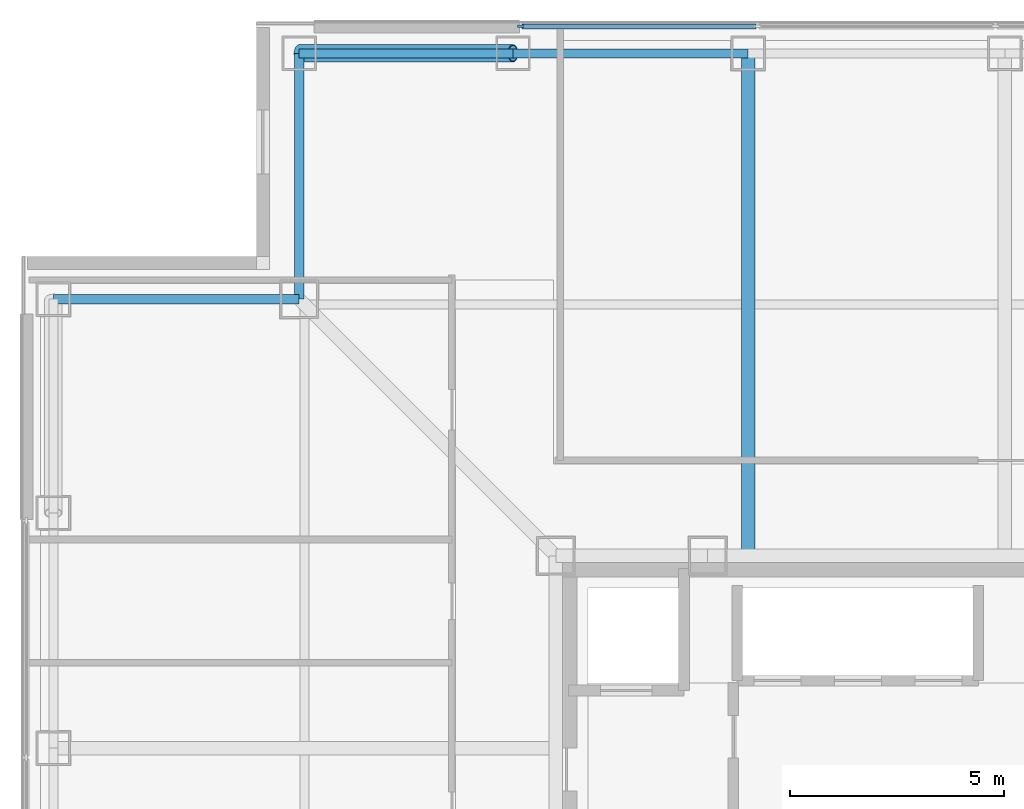
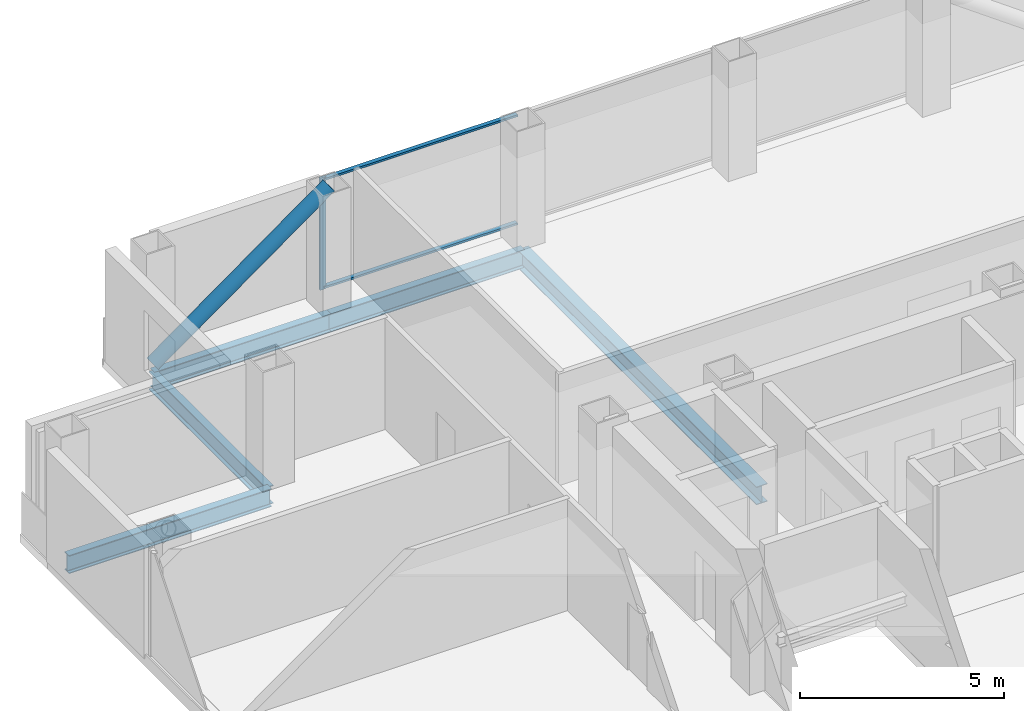
# One storey, part 7 of 17: 5 beams, 4 members, 1 element without a shape of its own.
"""IFC4 building model written with IfcOpenShell, lengths in metres."""

import ifcopenshell
import ifcopenshell.guid

model = None  # the IFC model being written
_history = None  # IfcOwnerHistory: only IFC2X3 demands one
_inside = {}  # id of a spatial element -> (the spatial element, [elements in it])
_under = {}  # id of a project, library or spatial element -> (it, [spatial elements below it])
_declared = {}  # id of a project -> (the project, [libraries it declares])
_typed = {}  # id of a type object -> (the type object, [elements of that type])
_made_of = {}  # id of a material, layer set ... -> (it, [elements and type objects made of it])


def new_model(schema):
    """Start an empty IFC model of exactly this schema.

    Asked for "IFC4X3", IfcOpenShell would pick the latest addendum, in which some entities
    have other attributes; the version numbers below select the first issue.
    IFC2X3 requires an IfcOwnerHistory on every rooted entity: one is made here for all.
    """
    global model, _history
    if schema == "IFC4X3":
        model = ifcopenshell.file(schema_version=(4, 3, 0, 0))
    else:
        model = ifcopenshell.file(schema=schema)
    _inside.clear()
    _under.clear()
    _declared.clear()
    _typed.clear()
    _made_of.clear()
    _history = None
    if model.schema == "IFC2X3":
        org = make("IfcOrganization", Name="unknown")
        user = make(
            "IfcPersonAndOrganization",
            ThePerson=make("IfcPerson", FamilyName="unknown"),
            TheOrganization=org,
        )
        app = make(
            "IfcApplication",
            ApplicationDeveloper=org,
            Version="unknown",
            ApplicationFullName="unknown",
            ApplicationIdentifier="unknown",
        )
        _history = make(
            "IfcOwnerHistory",
            OwningUser=user,
            OwningApplication=app,
            ChangeAction="ADDED",
            CreationDate=0,
        )
    return model


def make(cls, **values):
    """One entity of the class cls with the attributes given. An attribute that is None is left unset."""
    return model.create_entity(
        cls, **{name: value for name, value in values.items() if value is not None}
    )


def rooted(cls, **values):
    """An entity with a GlobalId (a new one), such as an element, a storey or a relation."""
    return make(cls, GlobalId=ifcopenshell.guid.new(), OwnerHistory=_history, **values)


def si_unit(unit_type, name, prefix=None):
    """IfcSIUnit, for example si_unit("LENGTHUNIT", "METRE", prefix="MILLI")."""
    return make("IfcSIUnit", UnitType=unit_type, Prefix=prefix, Name=name)


def assignment(units):
    """IfcUnitAssignment: the units of a project."""
    return None if units is None else make("IfcUnitAssignment", Units=units)


def point(xyz):
    """IfcCartesianPoint."""
    return None if xyz is None else make("IfcCartesianPoint", Coordinates=xyz)


def direction(xyz):
    """IfcDirection."""
    return None if xyz is None else make("IfcDirection", DirectionRatios=xyz)


def frame(location, z_axis=None, x_axis=None):
    """IfcAxis2Placement3D, a coordinate frame: its origin and axes. An axis left out is left unset."""
    return make(
        "IfcAxis2Placement3D",
        Location=point(location),
        Axis=direction(z_axis),
        RefDirection=direction(x_axis),
    )


def frame_2d(location, x_axis=None):
    """IfcAxis2Placement2D, a coordinate frame in the plane: its origin and x axis."""
    return make(
        "IfcAxis2Placement2D", Location=point(location), RefDirection=direction(x_axis)
    )


def origin():
    """The frame at (0, 0, 0) with its axes left unset."""
    return frame((0.0, 0.0, 0.0))


def origin_2d():
    """The frame at (0, 0) in the plane with its x axis left unset."""
    return frame_2d((0.0, 0.0))


def place(relative_to, where):
    """IfcLocalPlacement: puts the frame where relative to a parent placement (None: the world)."""
    return make(
        "IfcLocalPlacement", PlacementRelTo=relative_to, RelativePlacement=where
    )


def context(
    kind, dimensions, precision=None, world=None, true_north=None, identifier=None
):
    """IfcGeometricRepresentationContext, for example the 3D "Model" context."""
    return make(
        "IfcGeometricRepresentationContext",
        ContextIdentifier=identifier,
        ContextType=kind,
        CoordinateSpaceDimension=dimensions,
        Precision=precision,
        WorldCoordinateSystem=world,
        TrueNorth=true_north,
    )


def subcontext(parent, identifier, kind, view, scale=None):
    """IfcGeometricRepresentationSubContext, for example "Body" below "Model"."""
    return make(
        "IfcGeometricRepresentationSubContext",
        ContextIdentifier=identifier,
        ContextType=kind,
        ParentContext=parent,
        TargetScale=scale,
        TargetView=view,
    )


def project(units=None, contexts=None):
    """IfcProject with its units and contexts."""
    return rooted(
        "IfcProject",
        Name="project",
        RepresentationContexts=contexts,
        UnitsInContext=assignment(units),
    )


def spatial(cls, under=None, at=None, **own):
    """A site, building, storey or space (cls), placed at a placement, below another one or the project."""
    s = rooted(cls, ObjectPlacement=at, **own)
    if under is not None:
        _under.setdefault(under.id(), (under, []))[1].append(s)
    return s


def profile(cls, at=None, kind="AREA", **sizes):
    """A parametric profile (cls). Its sizes go by their IFC names, for example OverallWidth=200.0."""
    return make(cls, ProfileType=kind, Position=at, **sizes)


def rectangle(**sizes):
    """IfcRectangleProfileDef."""
    return profile("IfcRectangleProfileDef", **sizes)


def hollow_circle(**sizes):
    """IfcCircleHollowProfileDef."""
    return profile("IfcCircleHollowProfileDef", **sizes)


def i_section(**sizes):
    """IfcIShapeProfileDef."""
    return profile("IfcIShapeProfileDef", **sizes)


def extrude(swept, where, along, depth):
    """IfcExtrudedAreaSolid: the profile swept, set in the frame where, extruded along a direction by depth."""
    return make(
        "IfcExtrudedAreaSolid",
        SweptArea=swept,
        Position=where,
        ExtrudedDirection=direction(along),
        Depth=depth,
    )


def shape(context_of_items, identifier, shape_type, items):
    """IfcShapeRepresentation: the items that make up one representation, for example the "Body"."""
    return make(
        "IfcShapeRepresentation",
        ContextOfItems=context_of_items,
        RepresentationIdentifier=identifier,
        RepresentationType=shape_type,
        Items=items,
    )


def material(Name=None, Category=None):
    """IfcMaterial."""
    return make("IfcMaterial", Name=Name, Category=Category)


def layer(
    of_material, thickness, ventilated=None, Name=None, Category=None, Priority=None
):
    """IfcMaterialLayer: one layer of a wall or slab, of a material (None: an air gap)."""
    return make(
        "IfcMaterialLayer",
        Material=of_material,
        LayerThickness=thickness,
        IsVentilated=ventilated,
        Name=Name,
        Category=Category,
        Priority=Priority,
    )


def layer_set(layers, Name=None):
    """IfcMaterialLayerSet."""
    return make("IfcMaterialLayerSet", MaterialLayers=layers, LayerSetName=Name)


def material_profile(
    of_material, cross_section, Name=None, Category=None, Priority=None
):
    """IfcMaterialProfile: a cross section and its material."""
    return make(
        "IfcMaterialProfile",
        Name=Name,
        Material=of_material,
        Profile=cross_section,
        Priority=Priority,
        Category=Category,
    )


def profile_set(profiles, Name=None, composite=None):
    """IfcMaterialProfileSet."""
    return make(
        "IfcMaterialProfileSet",
        Name=Name,
        MaterialProfiles=profiles,
        CompositeProfile=composite,
    )


def made_of(thing, what):
    """Note that an element or type object is made of a material, layer set ...; save() writes the relation."""
    if what is not None:
        _made_of.setdefault(what.id(), (what, []))[1].append(thing)
    return thing


def type_object(cls, material=None, **own):
    """A type object (cls), such as IfcWallType, which elements share."""
    return made_of(rooted(cls, **own), material)


def element(
    cls,
    number,
    at=None,
    inside=None,
    cuts=None,
    type_object=None,
    material=None,
    context=None,
    identifier="Body",
    shape_type=None,
    held_by="IfcProductDefinitionShape",
    body=None,
    shapes=None,
    **own,
):
    """One element of the class cls, such as IfcWall. Its Tag is "e" and its number.

    at: its placement. inside: the storey or other place that contains it. cuts: it is an
    opening in that element (IfcRelVoidsElement). A single representation is given by context,
    identifier, shape_type and body (its items); several are given by shapes. held_by: the class
    of the entity that holds the representations. save() writes the other relations.
    """
    e = rooted(cls, Tag="e%d" % number, ObjectPlacement=at, **own)
    if body is not None:
        shapes = [shape(context, identifier, shape_type, body)]
    if shapes is not None:
        e.Representation = make(held_by, Representations=shapes)
    if inside is not None:
        _inside.setdefault(inside.id(), (inside, []))[1].append(e)
    if cuts is not None:
        rooted(
            "IfcRelVoidsElement", RelatingBuildingElement=cuts, RelatedOpeningElement=e
        )
    if type_object is not None:
        _typed.setdefault(type_object.id(), (type_object, []))[1].append(e)
    return made_of(e, material)


def aggregate(whole, parts):
    """IfcRelAggregates: a whole, such as a stair, and the parts it consists of."""
    return rooted("IfcRelAggregates", RelatingObject=whole, RelatedObjects=parts)


def save(model, path):
    """Write the relations noted so far, then the file.

    IfcRelAggregates (storeys below a building ...), IfcRelContainedInSpatialStructure (elements
    in a storey), IfcRelDefinesByType, IfcRelAssociatesMaterial and IfcRelDeclares: one each for
    every whole, place, type object, material and project.
    """
    for whole, parts in _under.values():
        aggregate(whole, parts)
    for where, things in _inside.values():
        rooted(
            "IfcRelContainedInSpatialStructure",
            RelatedElements=things,
            RelatingStructure=where,
        )
    for kind, things in _typed.values():
        rooted("IfcRelDefinesByType", RelatedObjects=things, RelatingType=kind)
    for what, things in _made_of.values():
        rooted("IfcRelAssociatesMaterial", RelatedObjects=things, RelatingMaterial=what)
    for by, libraries in _declared.values():
        rooted("IfcRelDeclares", RelatingContext=by, RelatedDefinitions=libraries)
    model.write(path)


model = new_model("IFC4")

# Units and contexts
model_context = context("Model", 3, precision=1e-05, world=origin(), true_north=direction((0.0, 1.0)))
body_context = subcontext(model_context, "Body", "Model", "MODEL_VIEW")
ifc_project = project(units=[si_unit("LENGTHUNIT", "METRE"), si_unit("AREAUNIT", "SQUARE_METRE"), si_unit("VOLUMEUNIT", "CUBIC_METRE"), si_unit("PLANEANGLEUNIT", "RADIAN"), si_unit("MASSUNIT", "GRAM", prefix="KILO")], contexts=[model_context])

# Site, building, storey
site_placement = place(None, origin())
site = spatial("IfcSite", under=ifc_project, at=site_placement, CompositionType="ELEMENT")
building_placement = place(site_placement, origin())
building = spatial("IfcBuilding", under=site, at=building_placement, Name="Trevonay Congress Spire", CompositionType="ELEMENT")
storey_placement = place(building_placement, frame((0.0, 0.0, 213.0)))
storey = spatial("IfcBuildingStorey", under=building, at=storey_placement, Name="L55", CompositionType="ELEMENT", Elevation=213.0)

# Beams
ifc_material_1 = material(Name="Steel ASTM A572 Grade 50", Category="steel")
ifc_material_profile_1 = material_profile(ifc_material_1, i_section(OverallWidth=0.31201171875, OverallDepth=0.54296875, WebThickness=0.0126953125, FlangeThickness=0.020263671875, FilletRadius=0.014892578125, at=origin_2d()), Name="W530x150")
ifc_profile_set_1 = profile_set([ifc_material_profile_1], Name="Steel ASTM A572 Grade 50")
beam_type_1 = type_object("IfcBeamType", Name="BM-GIRD-W530X150", PredefinedType="BEAM", material=ifc_profile_set_1)
beam_1_placement = place(storey_placement, frame((-3.0, 7.5, -0.511474609375), z_axis=(0.0, 1.0, 0.0), x_axis=(-1.0, 0.0, 0.0)))
element("IfcBeam", 1, at=beam_1_placement, inside=storey, type_object=beam_type_1, Name="L55 structural beam BM-L55-GN-M", PredefinedType="BEAM", context=body_context, shape_type="SweptSolid", body=[
    extrude(i_section(OverallWidth=0.31201171875, OverallDepth=0.54296875, WebThickness=0.0126953125, FlangeThickness=0.020263671875, FilletRadius=0.014892578125, at=origin_2d()), origin(), (0.0, 0.0, 1.0), 11.75),
])
ifc_material_profile_2 = material_profile(ifc_material_1, i_section(OverallWidth=0.2119140625, OverallDepth=0.5439453125, WebThickness=0.01318359375, FlangeThickness=0.021240234375, FilletRadius=0.014892578125, at=origin_2d()), Name="W530x123")
ifc_profile_set_2 = profile_set([ifc_material_profile_2], Name="Steel ASTM A572 Grade 50")
beam_type_2 = type_object("IfcBeamType", Name="BM-RING-W530X123", PredefinedType="BEAM", material=ifc_profile_set_2)
beam_2_placement = place(storey_placement, frame((-13.5, 19.25, -0.511962890625), z_axis=(1.0, 0.0, 0.0), x_axis=(0.0, 1.0, 0.0)))
element("IfcBeam", 2, at=beam_2_placement, inside=storey, type_object=beam_type_2, Name="L55 structural beam BM-L55-PN1", PredefinedType="BEAM", context=body_context, shape_type="SweptSolid", body=[
    extrude(i_section(OverallWidth=0.2119140625, OverallDepth=0.5439453125, WebThickness=0.01318359375, FlangeThickness=0.021240234375, FilletRadius=0.014892578125, at=origin_2d()), origin(), (0.0, 0.0, 1.0), 5.0),
])
beam_3_placement = place(storey_placement, frame((-8.5, 19.25, -0.511962890625), z_axis=(1.0, 0.0, 0.0), x_axis=(0.0, 1.0, 0.0)))
element("IfcBeam", 3, at=beam_3_placement, inside=storey, type_object=beam_type_2, Name="L55 structural beam BM-L55-PN2", PredefinedType="BEAM", context=body_context, shape_type="SweptSolid", body=[
    extrude(i_section(OverallWidth=0.2119140625, OverallDepth=0.5439453125, WebThickness=0.01318359375, FlangeThickness=0.021240234375, FilletRadius=0.014892578125, at=origin_2d()), origin(), (0.0, 0.0, 1.0), 5.5),
])
for number, where, z_axis, x_axis, name in (
    (4, (-13.5, 19.25, -0.511962890625), (0.0, -1.0, 0.0), (1.0, 0.0, 0.0), "L55 structural beam BM-L55-N1NW"),
    (5, (-19.25, 13.5, -0.511962890625), (1.0, 0.0, 0.0), (0.0, 1.0, 0.0), "L55 structural beam BM-L55-N2NW"),
):
    element("IfcBeam", number, at=place(storey_placement, frame(where, z_axis=z_axis, x_axis=x_axis)), inside=storey, type_object=beam_type_2, Name=name, PredefinedType="BEAM", context=body_context, shape_type="SweptSolid", body=[
        extrude(i_section(OverallWidth=0.2119140625, OverallDepth=0.5439453125, WebThickness=0.01318359375, FlangeThickness=0.021240234375, FilletRadius=0.014892578125, at=origin_2d()), origin(), (0.0, 0.0, 1.0), 5.75),
    ])

# Curtain wall, members
ifc_material_2 = material(Name="Pale Anodised Aluminium EN AW-6063-T6", Category="aluminium")
ifc_layer = layer(ifc_material_2, 0.169921875, Name="Pale Anodised Aluminium EN AW-6063-T6")
ifc_layer_set = layer_set([ifc_layer], Name="Pale Anodised Aluminium EN AW-6063-T6")
curtain_wall_type = type_object("IfcCurtainWallType", Name="CW-SYS04-CORP-PALE-METAL", PredefinedType="NOTDEFINED", material=ifc_layer_set)
curtain_wall_placement = place(storey_placement, origin())
curtain_wall = element("IfcCurtainWall", 6, at=curtain_wall_placement, inside=storey, type_object=curtain_wall_type, Name="L55 N unitised curtain wall", PredefinedType="NOTDEFINED")
ifc_material_profile_3 = material_profile(ifc_material_2, rectangle(XDim=0.06005859375, YDim=0.159912109375, at=origin_2d()), Name="CW-MULLION-160-ALUMINIUM")
ifc_profile_set_3 = profile_set([ifc_material_profile_3], Name="Pale Anodised Aluminium EN AW-6063-T6")
member_type_1 = type_object("IfcMemberType", Name="CW-MULLION-160-ALUMINIUM", PredefinedType="MULLION", material=ifc_profile_set_3)
member_1_placement = place(storey_placement, frame((-8.320068359375, 19.8798828125, 0.0), z_axis=(0.0, 0.0, 1.0), x_axis=(0.0, 1.0, 0.0)))
member_1 = element("IfcMember", 7, at=member_1_placement, type_object=member_type_1, Name="CW04 mullion 1", PredefinedType="MULLION", context=body_context, shape_type="SweptSolid", body=[
    extrude(rectangle(XDim=0.06005859375, YDim=0.159912109375, at=origin_2d()), origin(), (0.0, 0.0, 1.0), 3.360107421875),
])
ifc_material_profile_4 = material_profile(ifc_material_2, rectangle(XDim=0.1201171875, YDim=0.06005859375, at=origin_2d()), Name="CW-TRANSOM-120-ALUMINIUM")
ifc_profile_set_4 = profile_set([ifc_material_profile_4], Name="Pale Anodised Aluminium EN AW-6063-T6")
member_type_2 = type_object("IfcMemberType", Name="CW-TRANSOM-120-ALUMINIUM", PredefinedType="USERDEFINED", material=ifc_profile_set_4)
member_2_placement = place(storey_placement, frame((-8.2900390625, 19.8798828125, 0.06005859375), z_axis=(1.0, 0.0, 0.0), x_axis=(0.0, 1.0, 0.0)))
member_2 = element("IfcMember", 8, at=member_2_placement, type_object=member_type_2, Name="CW04 transom 1.1", ObjectType="TRANSOM", PredefinedType="USERDEFINED", context=body_context, shape_type="SweptSolid", body=[
    extrude(rectangle(XDim=0.1201171875, YDim=0.06005859375, at=origin_2d()), origin(), (0.0, 0.0, 1.0), 5.476806640625),
])
member_3_placement = place(storey_placement, frame((-8.2900390625, 19.8798828125, 3.300048828125), z_axis=(1.0, 0.0, 0.0), x_axis=(0.0, 1.0, 0.0)))
member_3 = element("IfcMember", 9, at=member_3_placement, type_object=member_type_2, Name="CW04 transom 1.2", ObjectType="TRANSOM", PredefinedType="USERDEFINED", context=body_context, shape_type="SweptSolid", body=[
    extrude(rectangle(XDim=0.1201171875, YDim=0.06005859375, at=origin_2d()), origin(), (0.0, 0.0, 1.0), 5.476806640625),
])
aggregate(curtain_wall, [member_1, member_2, member_3])

# Member
ifc_material_3 = material(Name="Steel ASTM A500 Grade C", Category="steel")
ifc_material_profile_5 = material_profile(ifc_material_3, hollow_circle(Radius=0.203125, WallThickness=0.02001953125, at=origin_2d()), Name="CHS 406.4x20")
ifc_profile_set_5 = profile_set([ifc_material_profile_5], Name="Steel ASTM A500 Grade C")
member_type_3 = type_object("IfcMemberType", Name="MBR-TUBE-CHS406", PredefinedType="BRACE", material=ifc_profile_set_5)
member_4_placement = place(storey_placement, frame((-13.5, 19.25, -0.050048828125), z_axis=(0.811526825515, 0.0, 0.584315164504), x_axis=(0.0, 1.0, 0.0)))
element("IfcMember", 10, at=member_4_placement, inside=storey, type_object=member_type_3, Name="L55 perimeter braced-tube diagonal N0", PredefinedType="BRACE", context=body_context, shape_type="SweptSolid", body=[
    extrude(hollow_circle(Radius=0.203125, WallThickness=0.02001953125, at=origin_2d()), origin(), (0.0, 0.0, 1.0), 6.1611328125),
])

save(model, "model.ifc")
